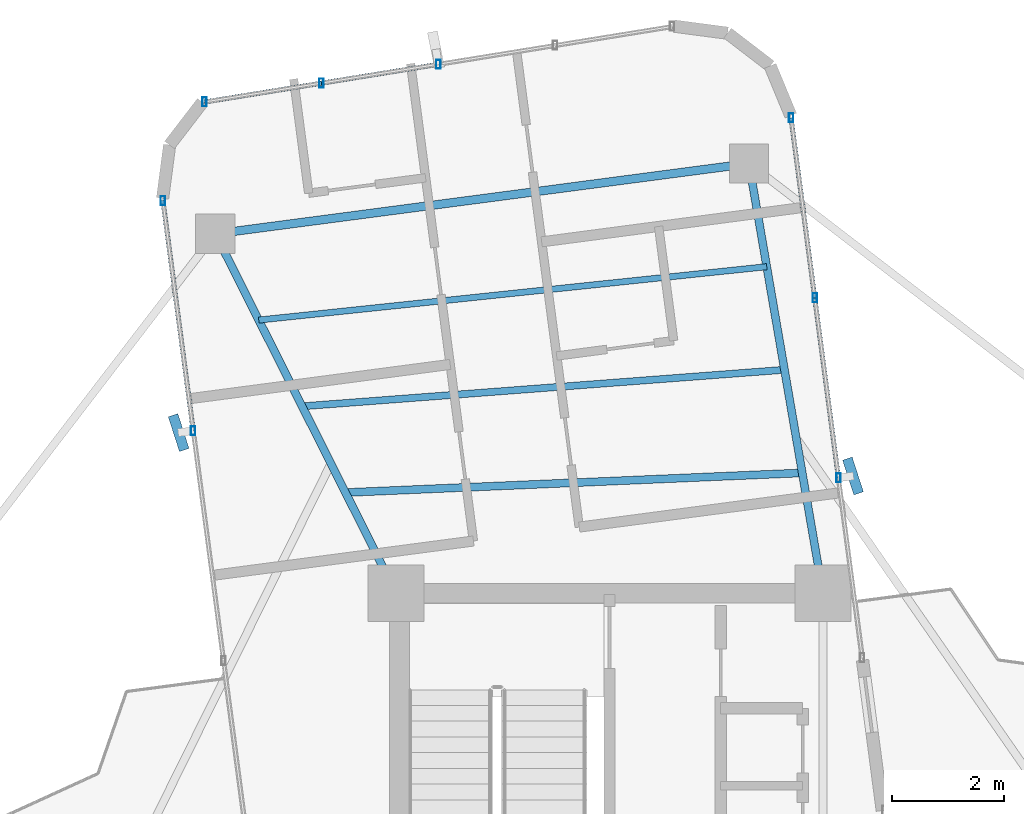
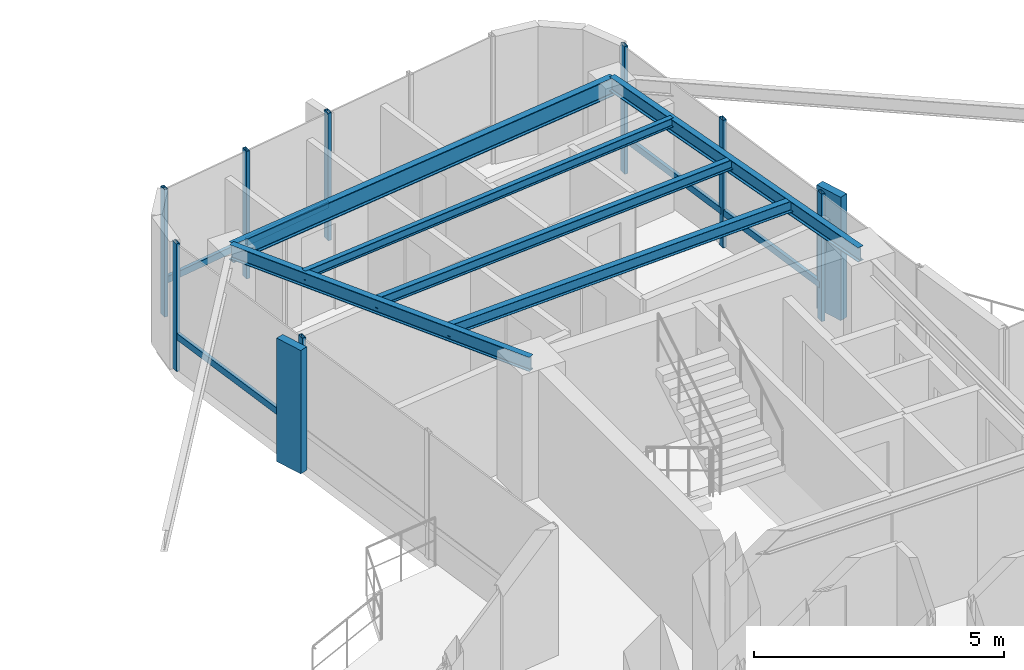
# One storey, part 13 of 22: 15 members, 6 beams, 3 elements without a shape of their own.
"""IFC4 building model written with IfcOpenShell, lengths in metres."""

import ifcopenshell
import ifcopenshell.guid

model = None  # the IFC model being written
_history = None  # IfcOwnerHistory: only IFC2X3 demands one
_inside = {}  # id of a spatial element -> (the spatial element, [elements in it])
_under = {}  # id of a project, library or spatial element -> (it, [spatial elements below it])
_declared = {}  # id of a project -> (the project, [libraries it declares])
_typed = {}  # id of a type object -> (the type object, [elements of that type])
_made_of = {}  # id of a material, layer set ... -> (it, [elements and type objects made of it])


def new_model(schema):
    """Start an empty IFC model of exactly this schema.

    Asked for "IFC4X3", IfcOpenShell would pick the latest addendum, in which some entities
    have other attributes; the version numbers below select the first issue.
    IFC2X3 requires an IfcOwnerHistory on every rooted entity: one is made here for all.
    """
    global model, _history
    if schema == "IFC4X3":
        model = ifcopenshell.file(schema_version=(4, 3, 0, 0))
    else:
        model = ifcopenshell.file(schema=schema)
    _inside.clear()
    _under.clear()
    _declared.clear()
    _typed.clear()
    _made_of.clear()
    _history = None
    if model.schema == "IFC2X3":
        org = make("IfcOrganization", Name="unknown")
        user = make(
            "IfcPersonAndOrganization",
            ThePerson=make("IfcPerson", FamilyName="unknown"),
            TheOrganization=org,
        )
        app = make(
            "IfcApplication",
            ApplicationDeveloper=org,
            Version="unknown",
            ApplicationFullName="unknown",
            ApplicationIdentifier="unknown",
        )
        _history = make(
            "IfcOwnerHistory",
            OwningUser=user,
            OwningApplication=app,
            ChangeAction="ADDED",
            CreationDate=0,
        )
    return model


def make(cls, **values):
    """One entity of the class cls with the attributes given. An attribute that is None is left unset."""
    return model.create_entity(
        cls, **{name: value for name, value in values.items() if value is not None}
    )


def rooted(cls, **values):
    """An entity with a GlobalId (a new one), such as an element, a storey or a relation."""
    return make(cls, GlobalId=ifcopenshell.guid.new(), OwnerHistory=_history, **values)


def si_unit(unit_type, name, prefix=None):
    """IfcSIUnit, for example si_unit("LENGTHUNIT", "METRE", prefix="MILLI")."""
    return make("IfcSIUnit", UnitType=unit_type, Prefix=prefix, Name=name)


def assignment(units):
    """IfcUnitAssignment: the units of a project."""
    return None if units is None else make("IfcUnitAssignment", Units=units)


def point(xyz):
    """IfcCartesianPoint."""
    return None if xyz is None else make("IfcCartesianPoint", Coordinates=xyz)


def direction(xyz):
    """IfcDirection."""
    return None if xyz is None else make("IfcDirection", DirectionRatios=xyz)


def frame(location, z_axis=None, x_axis=None):
    """IfcAxis2Placement3D, a coordinate frame: its origin and axes. An axis left out is left unset."""
    return make(
        "IfcAxis2Placement3D",
        Location=point(location),
        Axis=direction(z_axis),
        RefDirection=direction(x_axis),
    )


def frame_2d(location, x_axis=None):
    """IfcAxis2Placement2D, a coordinate frame in the plane: its origin and x axis."""
    return make(
        "IfcAxis2Placement2D", Location=point(location), RefDirection=direction(x_axis)
    )


def origin():
    """The frame at (0, 0, 0) with its axes left unset."""
    return frame((0.0, 0.0, 0.0))


def origin_2d():
    """The frame at (0, 0) in the plane with its x axis left unset."""
    return frame_2d((0.0, 0.0))


def place(relative_to, where):
    """IfcLocalPlacement: puts the frame where relative to a parent placement (None: the world)."""
    return make(
        "IfcLocalPlacement", PlacementRelTo=relative_to, RelativePlacement=where
    )


def context(
    kind, dimensions, precision=None, world=None, true_north=None, identifier=None
):
    """IfcGeometricRepresentationContext, for example the 3D "Model" context."""
    return make(
        "IfcGeometricRepresentationContext",
        ContextIdentifier=identifier,
        ContextType=kind,
        CoordinateSpaceDimension=dimensions,
        Precision=precision,
        WorldCoordinateSystem=world,
        TrueNorth=true_north,
    )


def subcontext(parent, identifier, kind, view, scale=None):
    """IfcGeometricRepresentationSubContext, for example "Body" below "Model"."""
    return make(
        "IfcGeometricRepresentationSubContext",
        ContextIdentifier=identifier,
        ContextType=kind,
        ParentContext=parent,
        TargetScale=scale,
        TargetView=view,
    )


def project(units=None, contexts=None):
    """IfcProject with its units and contexts."""
    return rooted(
        "IfcProject",
        Name="project",
        RepresentationContexts=contexts,
        UnitsInContext=assignment(units),
    )


def spatial(cls, under=None, at=None, **own):
    """A site, building, storey or space (cls), placed at a placement, below another one or the project."""
    s = rooted(cls, ObjectPlacement=at, **own)
    if under is not None:
        _under.setdefault(under.id(), (under, []))[1].append(s)
    return s


def profile(cls, at=None, kind="AREA", **sizes):
    """A parametric profile (cls). Its sizes go by their IFC names, for example OverallWidth=200.0."""
    return make(cls, ProfileType=kind, Position=at, **sizes)


def rectangle(**sizes):
    """IfcRectangleProfileDef."""
    return profile("IfcRectangleProfileDef", **sizes)


def hollow_rectangle(**sizes):
    """IfcRectangleHollowProfileDef."""
    return profile("IfcRectangleHollowProfileDef", **sizes)


def i_section(**sizes):
    """IfcIShapeProfileDef."""
    return profile("IfcIShapeProfileDef", **sizes)


def extrude(swept, where, along, depth):
    """IfcExtrudedAreaSolid: the profile swept, set in the frame where, extruded along a direction by depth."""
    return make(
        "IfcExtrudedAreaSolid",
        SweptArea=swept,
        Position=where,
        ExtrudedDirection=direction(along),
        Depth=depth,
    )


def shape(context_of_items, identifier, shape_type, items):
    """IfcShapeRepresentation: the items that make up one representation, for example the "Body"."""
    return make(
        "IfcShapeRepresentation",
        ContextOfItems=context_of_items,
        RepresentationIdentifier=identifier,
        RepresentationType=shape_type,
        Items=items,
    )


def source(mapping_origin, context_of_items, identifier, shape_type, items):
    """IfcRepresentationMap: a shape defined once, which mapped items show again and again."""
    return make(
        "IfcRepresentationMap",
        MappingOrigin=mapping_origin,
        MappedRepresentation=shape(context_of_items, identifier, shape_type, items),
    )


def transform(
    local_origin,
    x_axis=None,
    y_axis=None,
    z_axis=None,
    scale=None,
    scale2=None,
    scale3=None,
    uniform=True,
):
    """IfcCartesianTransformationOperator3D, or its non-uniform kind. x_axis, y_axis, z_axis: its Axis1, 2, 3."""
    if uniform:
        return make(
            "IfcCartesianTransformationOperator3D",
            Axis1=direction(x_axis),
            Axis2=direction(y_axis),
            LocalOrigin=point(local_origin),
            Scale=scale,
            Axis3=direction(z_axis),
        )
    return make(
        "IfcCartesianTransformationOperator3DnonUniform",
        Axis1=direction(x_axis),
        Axis2=direction(y_axis),
        LocalOrigin=point(local_origin),
        Scale=scale,
        Axis3=direction(z_axis),
        Scale2=scale2,
        Scale3=scale3,
    )


def mapped(mapping_source, mapping_target):
    """IfcMappedItem: shows the shape of a source again, moved by a transform."""
    return make(
        "IfcMappedItem", MappingSource=mapping_source, MappingTarget=mapping_target
    )


def material(Name=None, Category=None):
    """IfcMaterial."""
    return make("IfcMaterial", Name=Name, Category=Category)


def material_profile(
    of_material, cross_section, Name=None, Category=None, Priority=None
):
    """IfcMaterialProfile: a cross section and its material."""
    return make(
        "IfcMaterialProfile",
        Name=Name,
        Material=of_material,
        Profile=cross_section,
        Priority=Priority,
        Category=Category,
    )


def profile_set(profiles, Name=None, composite=None):
    """IfcMaterialProfileSet."""
    return make(
        "IfcMaterialProfileSet",
        Name=Name,
        MaterialProfiles=profiles,
        CompositeProfile=composite,
    )


def made_of(thing, what):
    """Note that an element or type object is made of a material, layer set ...; save() writes the relation."""
    if what is not None:
        _made_of.setdefault(what.id(), (what, []))[1].append(thing)
    return thing


def type_object(cls, material=None, **own):
    """A type object (cls), such as IfcWallType, which elements share."""
    return made_of(rooted(cls, **own), material)


def element(
    cls,
    number,
    at=None,
    inside=None,
    cuts=None,
    type_object=None,
    material=None,
    context=None,
    identifier="Body",
    shape_type=None,
    held_by="IfcProductDefinitionShape",
    body=None,
    shapes=None,
    **own,
):
    """One element of the class cls, such as IfcWall. Its Tag is "e" and its number.

    at: its placement. inside: the storey or other place that contains it. cuts: it is an
    opening in that element (IfcRelVoidsElement). A single representation is given by context,
    identifier, shape_type and body (its items); several are given by shapes. held_by: the class
    of the entity that holds the representations. save() writes the other relations.
    """
    e = rooted(cls, Tag="e%d" % number, ObjectPlacement=at, **own)
    if body is not None:
        shapes = [shape(context, identifier, shape_type, body)]
    if shapes is not None:
        e.Representation = make(held_by, Representations=shapes)
    if inside is not None:
        _inside.setdefault(inside.id(), (inside, []))[1].append(e)
    if cuts is not None:
        rooted(
            "IfcRelVoidsElement", RelatingBuildingElement=cuts, RelatedOpeningElement=e
        )
    if type_object is not None:
        _typed.setdefault(type_object.id(), (type_object, []))[1].append(e)
    return made_of(e, material)


def aggregate(whole, parts):
    """IfcRelAggregates: a whole, such as a stair, and the parts it consists of."""
    return rooted("IfcRelAggregates", RelatingObject=whole, RelatedObjects=parts)


def save(model, path):
    """Write the relations noted so far, then the file.

    IfcRelAggregates (storeys below a building ...), IfcRelContainedInSpatialStructure (elements
    in a storey), IfcRelDefinesByType, IfcRelAssociatesMaterial and IfcRelDeclares: one each for
    every whole, place, type object, material and project.
    """
    for whole, parts in _under.values():
        aggregate(whole, parts)
    for where, things in _inside.values():
        rooted(
            "IfcRelContainedInSpatialStructure",
            RelatedElements=things,
            RelatingStructure=where,
        )
    for kind, things in _typed.values():
        rooted("IfcRelDefinesByType", RelatedObjects=things, RelatingType=kind)
    for what, things in _made_of.values():
        rooted("IfcRelAssociatesMaterial", RelatedObjects=things, RelatingMaterial=what)
    for by, libraries in _declared.values():
        rooted("IfcRelDeclares", RelatingContext=by, RelatedDefinitions=libraries)
    model.write(path)


model = new_model("IFC4")

# Units and contexts
model_context = context("Model", 3, precision=1e-05, world=origin(), true_north=direction((0.0, 1.0)))
body_context = subcontext(model_context, "Body", "Model", "MODEL_VIEW")
ifc_project = project(units=[si_unit("LENGTHUNIT", "METRE"), si_unit("AREAUNIT", "SQUARE_METRE"), si_unit("VOLUMEUNIT", "CUBIC_METRE"), si_unit("PLANEANGLEUNIT", "RADIAN"), si_unit("MASSUNIT", "GRAM", prefix="KILO")], contexts=[model_context])

# Site, building, storey
site_placement = place(None, origin())
site = spatial("IfcSite", under=ifc_project, at=site_placement, CompositionType="ELEMENT")
building_placement = place(site_placement, origin())
building = spatial("IfcBuilding", under=site, at=building_placement, Name="Sahyath Konkavel Grand Hotel", CompositionType="ELEMENT")
storey_placement = place(building_placement, frame((0.0, 0.0, 223.25)))
storey = spatial("IfcBuildingStorey", under=building, at=storey_placement, Name="L62", CompositionType="ELEMENT", Elevation=223.25)

# Beams
ifc_material_1 = material(Name="Steel E350", Category="steel")
ifc_material_profile_1 = material_profile(ifc_material_1, i_section(OverallWidth=0.139892578125, OverallDepth=0.35009765625, WebThickness=0.008056640625, FlangeThickness=0.01416015625, FilletRadius=0.013916015625, at=origin_2d()), Name="ISMB 350")
ifc_profile_set_1 = profile_set([ifc_material_profile_1], Name="Steel E350")
beam_type_1 = type_object("IfcBeamType", Name="BM-ISMB350", PredefinedType="BEAM", material=ifc_profile_set_1)
shared_shape_1 = source(origin(), body_context, "Body", "SweptSolid", [
    extrude(i_section(OverallWidth=0.139892578125, OverallDepth=0.35009765625, WebThickness=0.008056640625, FlangeThickness=0.01416015625, FilletRadius=0.013916015625, at=origin_2d()), origin(), (0.0, 0.0, 1.0), 7.762451171875),
])
beam_1_placement = place(storey_placement, frame((3.800048828125, 10.199951171875, 2.93505859375), z_axis=(-0.16961937621, 0.985509648463, 0.0), x_axis=(-0.985509648463, -0.16961937621, 0.0)))
element("IfcBeam", 1, at=beam_1_placement, inside=storey, type_object=beam_type_1, Name="L62 Cruciform Radial Girder NA", PredefinedType="BEAM", context=body_context, shape_type="MappedRepresentation", body=[
    mapped(shared_shape_1, transform((0.0, 0.0, 0.0), scale=1.0)),
])
shared_shape_2 = source(origin(), body_context, "Body", "SweptSolid", [
    extrude(i_section(OverallWidth=0.139892578125, OverallDepth=0.35009765625, WebThickness=0.008056640625, FlangeThickness=0.01416015625, FilletRadius=0.013916015625, at=origin_2d()), origin(), (0.0, 0.0, 1.0), 7.162841796875),
])
beam_2_placement = place(storey_placement, frame((-3.800048828125, 10.199951171875, 2.93505859375), z_axis=(-0.44933921931, 0.893361218092, 0.0), x_axis=(-0.893361218092, -0.44933921931, 0.0)))
element("IfcBeam", 2, at=beam_2_placement, inside=storey, type_object=beam_type_1, Name="L62 Cruciform Radial Girder NB", PredefinedType="BEAM", context=body_context, shape_type="MappedRepresentation", body=[
    mapped(shared_shape_2, transform((0.0, 0.0, 0.0), scale=1.0)),
])
ifc_material_profile_2 = material_profile(ifc_material_1, i_section(OverallWidth=0.14990234375, OverallDepth=0.449951171875, WebThickness=0.009521484375, FlangeThickness=0.017333984375, FilletRadius=0.014892578125, at=origin_2d()), Name="ISMB 450")
ifc_profile_set_2 = profile_set([ifc_material_profile_2], Name="Steel E350")
beam_type_2 = type_object("IfcBeamType", Name="BM-ISMB450", PredefinedType="BEAM", material=ifc_profile_set_2)
shared_shape_3 = source(origin(), body_context, "Body", "SweptSolid", [
    extrude(i_section(OverallWidth=0.14990234375, OverallDepth=0.449951171875, WebThickness=0.009521484375, FlangeThickness=0.017333984375, FilletRadius=0.014892578125, at=origin_2d()), origin(), (0.0, 0.0, 1.0), 9.583984375),
])
beam_3_placement = place(storey_placement, frame((2.4833984375, 17.849853515625, 2.885009765625), z_axis=(-0.991444581843, -0.130528315451, 0.0), x_axis=(0.130528315451, -0.991444581843, 0.0)))
element("IfcBeam", 3, at=beam_3_placement, inside=storey, type_object=beam_type_2, Name="L62 Wing Tip Edge Beam N", PredefinedType="BEAM", context=body_context, shape_type="MappedRepresentation", body=[
    mapped(shared_shape_3, transform((0.0, 0.0, 0.0), scale=1.0)),
])
ifc_material_profile_3 = material_profile(ifc_material_1, i_section(OverallWidth=0.139892578125, OverallDepth=0.27490234375, WebThickness=0.00634765625, FlangeThickness=0.0087890625, FilletRadius=0.012939453125, at=origin_2d()), Name="ISLB 275")
ifc_profile_set_3 = profile_set([ifc_material_profile_3], Name="Steel E350")
beam_type_3 = type_object("IfcBeamType", Name="BM-ISLB275", PredefinedType="BEAM", material=ifc_profile_set_3)
shared_shape_4 = source(origin(), body_context, "Body", "SweptSolid", [
    extrude(i_section(OverallWidth=0.139892578125, OverallDepth=0.27490234375, WebThickness=0.00634765625, FlangeThickness=0.0087890625, FilletRadius=0.012939453125, at=origin_2d()), origin(), (0.0, 0.0, 1.0), 8.14013671875),
])
beam_4_placement = place(storey_placement, frame((3.431396484375, 12.342041015625, 2.972412109375), z_axis=(-0.999073395276, -0.04303894576, 0.0), x_axis=(0.04303894576, -0.999073395276, 0.0)))
element("IfcBeam", 4, at=beam_4_placement, inside=storey, type_object=beam_type_3, Name="L62 Secondary Floor Beam N-1", PredefinedType="BEAM", context=body_context, shape_type="MappedRepresentation", body=[
    mapped(shared_shape_4, transform((0.0, 0.0, 0.0), scale=1.0)),
])
ifc_material_profile_4 = material_profile(ifc_material_1, i_section(OverallWidth=0.125, OverallDepth=0.25, WebThickness=0.0068359375, FlangeThickness=0.012451171875, FilletRadius=0.012939453125, at=origin_2d()), Name="ISMB 250")
ifc_profile_set_4 = profile_set([ifc_material_profile_4], Name="Steel E350")
beam_type_4 = type_object("IfcBeamType", Name="BM-ISMB250", PredefinedType="BEAM", material=ifc_profile_set_4)
shared_shape_5 = source(origin(), body_context, "Body", "SweptSolid", [
    extrude(i_section(OverallWidth=0.125, OverallDepth=0.25, WebThickness=0.0068359375, FlangeThickness=0.012451171875, FilletRadius=0.012939453125, at=origin_2d()), origin(), (0.0, 0.0, 1.0), 8.61376953125),
])
beam_5_placement = place(storey_placement, frame((3.115478515625, 14.177978515625, 2.985107421875), z_axis=(-0.997143173226, -0.075534707844, 0.0), x_axis=(0.075534707844, -0.997143173226, 0.0)))
element("IfcBeam", 5, at=beam_5_placement, inside=storey, type_object=beam_type_4, Name="L62 Secondary Floor Beam N-2", PredefinedType="BEAM", context=body_context, shape_type="MappedRepresentation", body=[
    mapped(shared_shape_5, transform((0.0, 0.0, 0.0), scale=1.0)),
])
ifc_material_profile_5 = material_profile(ifc_material_1, i_section(OverallWidth=0.110107421875, OverallDepth=0.22509765625, WebThickness=0.006591796875, FlangeThickness=0.01171875, FilletRadius=0.011962890625, at=origin_2d()), Name="ISMB 225")
ifc_profile_set_5 = profile_set([ifc_material_profile_5], Name="Steel E350")
beam_type_5 = type_object("IfcBeamType", Name="BM-ISMB225", PredefinedType="BEAM", material=ifc_profile_set_5)
shared_shape_6 = source(origin(), body_context, "Body", "SweptSolid", [
    extrude(i_section(OverallWidth=0.110107421875, OverallDepth=0.22509765625, WebThickness=0.006591796875, FlangeThickness=0.01171875, FilletRadius=0.011962890625, at=origin_2d()), origin(), (0.0, 0.0, 1.0), 9.09521484375),
])
beam_6_placement = place(storey_placement, frame((2.79931640625, 16.013916015625, 2.99755859375), z_axis=(-0.994522207662, -0.104525491947, 0.0), x_axis=(0.104525491947, -0.994522207662, 0.0)))
element("IfcBeam", 6, at=beam_6_placement, inside=storey, type_object=beam_type_5, Name="L62 Secondary Floor Beam N-3", PredefinedType="BEAM", context=body_context, shape_type="MappedRepresentation", body=[
    mapped(shared_shape_6, transform((0.0, 0.0, 0.0), scale=1.0)),
])

# Curtain wall, member
ifc_material_2 = material(Name="Anodised Bronze Aluminium & Low-E Glazing", Category="aluminium")
curtain_wall_type = type_object("IfcCurtainWallType", Name="CW-ZONE4", PredefinedType="NOTDEFINED", material=ifc_material_2)
curtain_wall_1_placement = place(storey_placement, origin())
curtain_wall_1 = element("IfcCurtainWall", 7, at=curtain_wall_1_placement, inside=storey, type_object=curtain_wall_type, Name="L62 Unitised Curtain Wall F8", PredefinedType="NOTDEFINED")
ifc_material_3 = material(Name="Warm Buff Sandstone Cladding on Concrete C50/60", Category="masonry")
ifc_material_profile_6 = material_profile(ifc_material_3, rectangle(XDim=0.179931640625, YDim=0.64990234375, at=origin_2d()), Name="FIN 180x650")
ifc_profile_set_6 = profile_set([ifc_material_profile_6], Name="Warm Buff Sandstone Cladding on Concrete C50/60")
member_type_1 = type_object("IfcMemberType", Name="FIN-SANDSTONE-650", PredefinedType="MULLION", material=ifc_profile_set_6)
shared_shape_7 = source(origin(), body_context, "Body", "SweptSolid", [
    extrude(rectangle(XDim=0.179931640625, YDim=0.64990234375, at=origin_2d()), origin(), (0.0, 0.0, 1.0), 3.010009765625),
])
member_1_placement = place(storey_placement, frame((4.33544921875, 12.28662109375, 0.050048828125), z_axis=(0.0, 0.0, 1.0), x_axis=(0.951648033235, 0.307190528564, 0.0)))
member_1 = element("IfcMember", 8, at=member_1_placement, type_object=member_type_1, Name="L62 Sandstone Vertical Solar Fin FIN F8-1", PredefinedType="MULLION", context=body_context, shape_type="MappedRepresentation", body=[
    mapped(shared_shape_7, transform((0.0, 0.0, 0.0), scale=1.0)),
])

curtain_wall_2_placement = place(storey_placement, origin())
curtain_wall_2 = element("IfcCurtainWall", 9, at=curtain_wall_2_placement, inside=storey, type_object=curtain_wall_type, Name="L62 Unitised Curtain Wall F15", PredefinedType="NOTDEFINED")
member_2_placement = place(storey_placement, frame((-7.67236328125, 13.0595703125, 0.050048828125), z_axis=(0.0, 0.0, 1.0), x_axis=(0.951648033235, 0.307190528564, 0.0)))
member_2 = element("IfcMember", 10, at=member_2_placement, type_object=member_type_1, Name="L62 Sandstone Vertical Solar Fin FIN F15-1", PredefinedType="MULLION", context=body_context, shape_type="MappedRepresentation", body=[
    mapped(shared_shape_7, transform((0.0, 0.0, 0.0), scale=1.0)),
])

# Member
ifc_material_4 = material(Name="Anodised Bronze Aluminium", Category="aluminium")
ifc_material_profile_7 = material_profile(ifc_material_4, hollow_rectangle(XDim=0.080078125, YDim=0.159912109375, WallThickness=0.006103515625, at=origin_2d()), Name="RHS 160x80x6")
ifc_profile_set_7 = profile_set([ifc_material_profile_7], Name="Anodised Bronze Aluminium")
member_type_2 = type_object("IfcMemberType", Name="CW-MUL-160", PredefinedType="MULLION", material=ifc_profile_set_7)
shared_shape_8 = source(origin(), body_context, "Body", "SweptSolid", [
    extrude(hollow_rectangle(XDim=0.080078125, YDim=0.159912109375, WallThickness=0.006103515625, at=origin_2d()), origin(), (0.0, 0.0, 1.0), 3.110107421875),
])
member_3_placement = place(storey_placement, frame((4.07763671875, 12.252685546875, 0.0), z_axis=(0.0, 0.0, 1.0), x_axis=(1.0, 0.0, 0.0)))
member_3 = element("IfcMember", 11, at=member_3_placement, type_object=member_type_2, Name="L62 Curtain Wall Mullion F8-1", PredefinedType="MULLION", context=body_context, shape_type="MappedRepresentation", body=[
    mapped(shared_shape_8, transform((0.0, 0.0, 0.0), scale=1.0)),
])

member_4_placement = place(storey_placement, frame((3.655517578125, 15.458740234375, 0.0), z_axis=(0.0, 0.0, 1.0), x_axis=(1.0, 0.0, 0.0)))
member_4 = element("IfcMember", 12, at=member_4_placement, type_object=member_type_2, Name="L62 Curtain Wall Mullion F8-2", PredefinedType="MULLION", context=body_context, shape_type="MappedRepresentation", body=[
    mapped(shared_shape_8, transform((0.0, 0.0, 0.0), scale=1.0)),
])

member_5_placement = place(storey_placement, frame((3.2333984375, 18.664794921875, 0.0), z_axis=(0.0, 0.0, 1.0), x_axis=(1.0, 0.0, 0.0)))
member_5 = element("IfcMember", 13, at=member_5_placement, type_object=member_type_2, Name="L62 Curtain Wall Mullion F8-3", PredefinedType="MULLION", context=body_context, shape_type="MappedRepresentation", body=[
    mapped(shared_shape_8, transform((0.0, 0.0, 0.0), scale=1.0)),
])

# Curtain wall, members
curtain_wall_3_placement = place(storey_placement, origin())
curtain_wall_3 = element("IfcCurtainWall", 14, at=curtain_wall_3_placement, inside=storey, type_object=curtain_wall_type, Name="L62 Unitised Curtain Wall F12", PredefinedType="NOTDEFINED")
member_6_placement = place(storey_placement, frame((-3.04931640625, 19.618896484375, 0.0), z_axis=(0.0, 0.0, 1.0), x_axis=(1.0, 0.0, 0.0)))
member_6 = element("IfcMember", 15, at=member_6_placement, type_object=member_type_2, Name="L62 Curtain Wall Mullion F12-2", PredefinedType="MULLION", context=body_context, shape_type="MappedRepresentation", body=[
    mapped(shared_shape_8, transform((0.0, 0.0, 0.0), scale=1.0)),
])
member_7_placement = place(storey_placement, frame((-5.130615234375, 19.282958984375, 0.0), z_axis=(0.0, 0.0, 1.0), x_axis=(1.0, 0.0, 0.0)))
member_7 = element("IfcMember", 16, at=member_7_placement, type_object=member_type_2, Name="L62 Curtain Wall Mullion F12-3", PredefinedType="MULLION", context=body_context, shape_type="MappedRepresentation", body=[
    mapped(shared_shape_8, transform((0.0, 0.0, 0.0), scale=1.0)),
])
member_8_placement = place(storey_placement, frame((-7.2119140625, 18.947021484375, 0.0), z_axis=(0.0, 0.0, 1.0), x_axis=(1.0, 0.0, 0.0)))
member_8 = element("IfcMember", 17, at=member_8_placement, type_object=member_type_2, Name="L62 Curtain Wall Mullion F12-4", PredefinedType="MULLION", context=body_context, shape_type="MappedRepresentation", body=[
    mapped(shared_shape_8, transform((0.0, 0.0, 0.0), scale=1.0)),
])

# Member
member_9_placement = place(storey_placement, frame((-7.9541015625, 17.19189453125, 0.0), z_axis=(0.0, 0.0, 1.0), x_axis=(1.0, 0.0, 0.0)))
member_9 = element("IfcMember", 18, at=member_9_placement, type_object=member_type_2, Name="L62 Curtain Wall Mullion F15-0", PredefinedType="MULLION", context=body_context, shape_type="MappedRepresentation", body=[
    mapped(shared_shape_8, transform((0.0, 0.0, 0.0), scale=1.0)),
])

member_10_placement = place(storey_placement, frame((-7.41455078125, 13.093505859375, 0.0), z_axis=(0.0, 0.0, 1.0), x_axis=(1.0, 0.0, 0.0)))
member_10 = element("IfcMember", 19, at=member_10_placement, type_object=member_type_2, Name="L62 Curtain Wall Mullion F15-1", PredefinedType="MULLION", context=body_context, shape_type="MappedRepresentation", body=[
    mapped(shared_shape_8, transform((0.0, 0.0, 0.0), scale=1.0)),
])

ifc_material_profile_8 = material_profile(ifc_material_4, hollow_rectangle(XDim=0.080078125, YDim=0.159912109375, WallThickness=0.006103515625, at=origin_2d()), Name="RHS 160x80x6")
ifc_profile_set_8 = profile_set([ifc_material_profile_8], Name="Anodised Bronze Aluminium")
member_type_3 = type_object("IfcMemberType", Name="CW-TRN-160", PredefinedType="USERDEFINED", material=ifc_profile_set_8)
shared_shape_9 = source(origin(), body_context, "Body", "SweptSolid", [
    extrude(hollow_rectangle(XDim=0.080078125, YDim=0.159912109375, WallThickness=0.006103515625, at=origin_2d()), origin(), (0.0, 0.0, 1.0), 3.233642578125),
])
member_11_placement = place(storey_placement, frame((4.07763671875, 12.252685546875, 0.85009765625), z_axis=(-0.130536537493, 0.991443499338, 0.0), x_axis=(-0.991443499338, -0.130536537493, 0.0)))
member_11 = element("IfcMember", 20, at=member_11_placement, type_object=member_type_3, Name="L62 Curtain Wall Transom F8-1-spandrel", ObjectType="TRANSOM", PredefinedType="USERDEFINED", context=body_context, shape_type="MappedRepresentation", body=[
    mapped(shared_shape_9, transform((0.0, 0.0, 0.0), scale=1.0)),
])

member_12_placement = place(storey_placement, frame((3.655517578125, 15.458740234375, 0.85009765625), z_axis=(-0.130536537493, 0.991443499338, 0.0), x_axis=(-0.991443499338, -0.130536537493, 0.0)))
member_12 = element("IfcMember", 21, at=member_12_placement, type_object=member_type_3, Name="L62 Curtain Wall Transom F8-2-spandrel", ObjectType="TRANSOM", PredefinedType="USERDEFINED", context=body_context, shape_type="MappedRepresentation", body=[
    mapped(shared_shape_9, transform((0.0, 0.0, 0.0), scale=1.0)),
])

aggregate(curtain_wall_1, [member_3, member_1, member_4, member_5, member_11, member_12])

shared_shape_10 = source(origin(), body_context, "Body", "SweptSolid", [
    extrude(hollow_rectangle(XDim=0.080078125, YDim=0.159912109375, WallThickness=0.006103515625, at=origin_2d()), origin(), (0.0, 0.0, 1.0), 2.108154296875),
])
member_13_placement = place(storey_placement, frame((-3.04931640625, 19.618896484375, 0.85009765625), z_axis=(-0.987222909892, -0.159345304869, 0.0), x_axis=(0.159345304869, -0.987222909892, 0.0)))
member_13 = element("IfcMember", 22, at=member_13_placement, type_object=member_type_3, Name="L62 Curtain Wall Transom F12-2-spandrel", ObjectType="TRANSOM", PredefinedType="USERDEFINED", context=body_context, shape_type="MappedRepresentation", body=[
    mapped(shared_shape_10, transform((0.0, 0.0, 0.0), scale=1.0)),
])

member_14_placement = place(storey_placement, frame((-5.130615234375, 19.282958984375, 0.85009765625), z_axis=(-0.987222909892, -0.159345304869, 0.0), x_axis=(0.159345304869, -0.987222909892, 0.0)))
member_14 = element("IfcMember", 23, at=member_14_placement, type_object=member_type_3, Name="L62 Curtain Wall Transom F12-3-spandrel", ObjectType="TRANSOM", PredefinedType="USERDEFINED", context=body_context, shape_type="MappedRepresentation", body=[
    mapped(shared_shape_10, transform((0.0, 0.0, 0.0), scale=1.0)),
])

aggregate(curtain_wall_3, [member_6, member_7, member_8, member_13, member_14])

shared_shape_11 = source(origin(), body_context, "Body", "SweptSolid", [
    extrude(hollow_rectangle(XDim=0.080078125, YDim=0.159912109375, WallThickness=0.006103515625, at=origin_2d()), origin(), (0.0, 0.0, 1.0), 4.1337890625),
])
member_15_placement = place(storey_placement, frame((-7.9541015625, 17.19189453125, 0.85009765625), z_axis=(0.130523261824, -0.991445247163, 0.0), x_axis=(0.991445247163, 0.130523261824, 0.0)))
member_15 = element("IfcMember", 24, at=member_15_placement, type_object=member_type_3, Name="L62 Curtain Wall Transom F15-0-spandrel", ObjectType="TRANSOM", PredefinedType="USERDEFINED", context=body_context, shape_type="MappedRepresentation", body=[
    mapped(shared_shape_11, transform((0.0, 0.0, 0.0), scale=1.0)),
])

aggregate(curtain_wall_2, [member_9, member_10, member_2, member_15])

save(model, "model.ifc")
